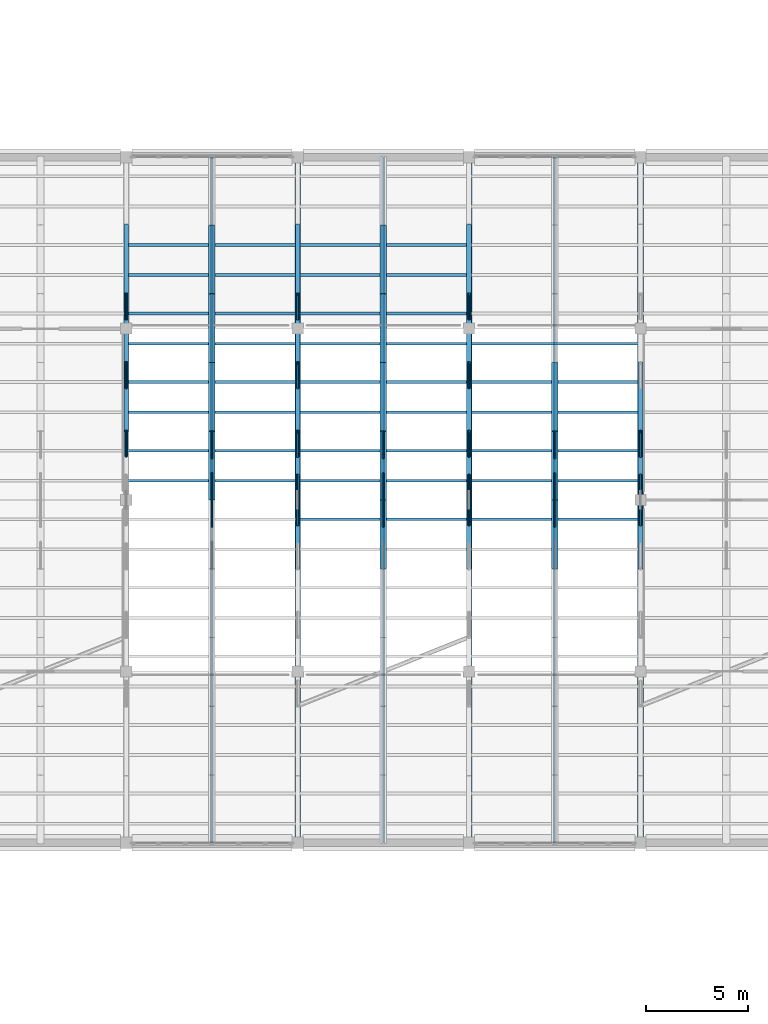
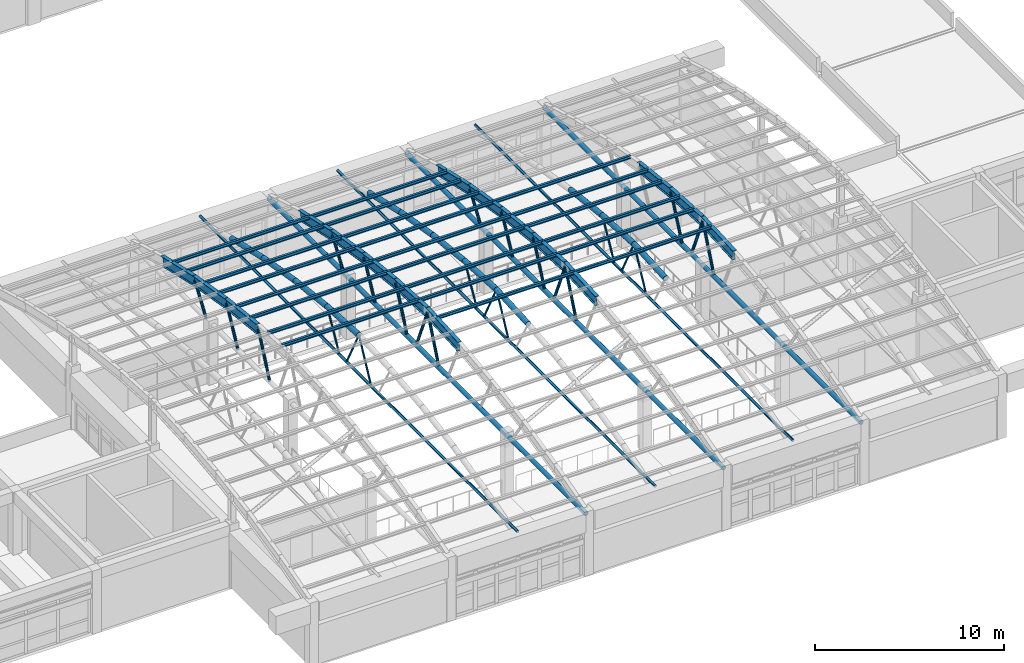
# One storey, part 19 of 74: 66 members, 16 beams.
"""IFC4 building model written with IfcOpenShell, lengths in metres."""

from ifc_helpers import new_model, si_unit, direction, frame, origin, origin_2d, place, context, subcontext, project, spatial, hollow_circle, i_section, extrude, material, material_profile, profile_set, type_object, element, save


model = new_model("IFC4")

# Units and contexts
model_context = context("Model", 3, precision=1e-05, world=origin(), true_north=direction((0.0, 1.0)))
body_context = subcontext(model_context, "Body", "Model", "MODEL_VIEW")
ifc_project = project(units=[si_unit("LENGTHUNIT", "METRE"), si_unit("AREAUNIT", "SQUARE_METRE"), si_unit("VOLUMEUNIT", "CUBIC_METRE"), si_unit("PLANEANGLEUNIT", "RADIAN"), si_unit("MASSUNIT", "GRAM", prefix="KILO")], contexts=[model_context])

# Site, building, storey
site_placement = place(None, origin())
site = spatial("IfcSite", under=ifc_project, at=site_placement, CompositionType="ELEMENT")
building_placement = place(site_placement, origin())
building = spatial("IfcBuilding", under=site, at=building_placement, Name="Porcellanite Civic Hall", CompositionType="ELEMENT")
storey_placement = place(building_placement, frame((0.0, 0.0, 14.760009765625)))
storey = spatial("IfcBuildingStorey", under=building, at=storey_placement, Name="L03", CompositionType="ELEMENT", Elevation=14.760009765625)

# Members
ifc_material_1 = material(Name="Steel C350L0", Category="steel")
ifc_material_profile_1 = material_profile(ifc_material_1, hollow_circle(Radius=0.161865234375, WallThickness=0.010009765625, at=origin_2d()), Name="323.9x10.0CHS")
ifc_profile_set_1 = profile_set([ifc_material_profile_1], Name="Steel C350L0")
member_type_1 = type_object("IfcMemberType", Name="ARCH-324CHS", PredefinedType="RAFTER", material=ifc_profile_set_1)
member_1_placement = place(storey_placement, frame((79.800048828125, 58.800048828125, 6.623779296875), z_axis=(0.0, 0.99844244283, -0.055791472063), x_axis=(-1.0, 0.0, 0.0)))
element("IfcMember", 1, at=member_1_placement, inside=storey, type_object=member_type_1, Name="Chamber secondary arch segment 9 6", PredefinedType="RAFTER", context=body_context, shape_type="SweptSolid", body=[
    extrude(hollow_circle(Radius=0.161865234375, WallThickness=0.010009765625, at=origin_2d()), origin(), (0.0, 0.0, 1.0), 3.364990234375),
])
member_2_placement = place(storey_placement, frame((79.800048828125, 62.159912109375, 6.431396484375), z_axis=(0.0, 0.993766061763, -0.111485490036), x_axis=(-1.0, 0.0, 0.0)))
element("IfcMember", 2, at=member_2_placement, inside=storey, type_object=member_type_1, Name="Chamber secondary arch segment 9 7", PredefinedType="RAFTER", context=body_context, shape_type="SweptSolid", body=[
    extrude(hollow_circle(Radius=0.161865234375, WallThickness=0.010009765625, at=origin_2d()), origin(), (0.0, 0.0, 1.0), 3.381103515625),
])
member_3_placement = place(storey_placement, frame((79.800048828125, 65.52001953125, 6.04931640625), z_axis=(0.0, 0.985992126332, -0.166791866742), x_axis=(-1.0, 0.0, 0.0)))
element("IfcMember", 3, at=member_3_placement, inside=storey, type_object=member_type_1, Name="Chamber secondary arch segment 9 8", PredefinedType="RAFTER", context=body_context, shape_type="SweptSolid", body=[
    extrude(hollow_circle(Radius=0.161865234375, WallThickness=0.010009765625, at=origin_2d()), origin(), (0.0, 0.0, 1.0), 3.40771484375),
])
member_4_placement = place(storey_placement, frame((79.800048828125, 68.8798828125, 5.47509765625), z_axis=(0.0, 0.975147469677, -0.221556792682), x_axis=(-1.0, 0.0, 0.0)))
element("IfcMember", 4, at=member_4_placement, inside=storey, type_object=member_type_1, Name="Chamber secondary arch segment 9 9", PredefinedType="RAFTER", context=body_context, shape_type="SweptSolid", body=[
    extrude(hollow_circle(Radius=0.161865234375, WallThickness=0.010009765625, at=origin_2d()), origin(), (0.0, 0.0, 1.0), 3.44580078125),
])
member_5_placement = place(storey_placement, frame((88.199951171875, 55.43994140625, 6.43603515625), z_axis=(0.0, 0.998442668633, 0.055787430951), x_axis=(-1.0, 0.0, 0.0)))
element("IfcMember", 5, at=member_5_placement, inside=storey, type_object=member_type_1, Name="Chamber secondary arch segment 10 5", PredefinedType="RAFTER", context=body_context, shape_type="SweptSolid", body=[
    extrude(hollow_circle(Radius=0.161865234375, WallThickness=0.010009765625, at=origin_2d()), origin(), (0.0, 0.0, 1.0), 3.365234375),
])
member_6_placement = place(storey_placement, frame((88.199951171875, 58.800048828125, 6.623779296875), z_axis=(0.0, 0.99844244283, -0.055791472063), x_axis=(-1.0, 0.0, 0.0)))
element("IfcMember", 6, at=member_6_placement, inside=storey, type_object=member_type_1, Name="Chamber secondary arch segment 10 6", PredefinedType="RAFTER", context=body_context, shape_type="SweptSolid", body=[
    extrude(hollow_circle(Radius=0.161865234375, WallThickness=0.010009765625, at=origin_2d()), origin(), (0.0, 0.0, 1.0), 3.364990234375),
])
member_7_placement = place(storey_placement, frame((88.199951171875, 62.159912109375, 6.431396484375), z_axis=(0.0, 0.993766061763, -0.111485490036), x_axis=(-1.0, 0.0, 0.0)))
element("IfcMember", 7, at=member_7_placement, inside=storey, type_object=member_type_1, Name="Chamber secondary arch segment 10 7", PredefinedType="RAFTER", context=body_context, shape_type="SweptSolid", body=[
    extrude(hollow_circle(Radius=0.161865234375, WallThickness=0.010009765625, at=origin_2d()), origin(), (0.0, 0.0, 1.0), 3.381103515625),
])
member_8_placement = place(storey_placement, frame((88.199951171875, 65.52001953125, 6.04931640625), z_axis=(0.0, 0.985992126332, -0.166791866742), x_axis=(-1.0, 0.0, 0.0)))
element("IfcMember", 8, at=member_8_placement, inside=storey, type_object=member_type_1, Name="Chamber secondary arch segment 10 8", PredefinedType="RAFTER", context=body_context, shape_type="SweptSolid", body=[
    extrude(hollow_circle(Radius=0.161865234375, WallThickness=0.010009765625, at=origin_2d()), origin(), (0.0, 0.0, 1.0), 3.40771484375),
])
member_9_placement = place(storey_placement, frame((88.199951171875, 68.8798828125, 5.47509765625), z_axis=(0.0, 0.975147469677, -0.221556792682), x_axis=(-1.0, 0.0, 0.0)))
element("IfcMember", 9, at=member_9_placement, inside=storey, type_object=member_type_1, Name="Chamber secondary arch segment 10 9", PredefinedType="RAFTER", context=body_context, shape_type="SweptSolid", body=[
    extrude(hollow_circle(Radius=0.161865234375, WallThickness=0.010009765625, at=origin_2d()), origin(), (0.0, 0.0, 1.0), 3.44580078125),
])
member_10_placement = place(storey_placement, frame((96.60009765625, 55.43994140625, 6.43603515625), z_axis=(0.0, 0.998442668633, 0.055787430951), x_axis=(-1.0, 0.0, 0.0)))
element("IfcMember", 10, at=member_10_placement, inside=storey, type_object=member_type_1, Name="Chamber secondary arch segment 11 5", PredefinedType="RAFTER", context=body_context, shape_type="SweptSolid", body=[
    extrude(hollow_circle(Radius=0.161865234375, WallThickness=0.010009765625, at=origin_2d()), origin(), (0.0, 0.0, 1.0), 3.365234375),
])
member_11_placement = place(storey_placement, frame((96.60009765625, 58.800048828125, 6.623779296875), z_axis=(0.0, 0.99844244283, -0.055791472063), x_axis=(-1.0, 0.0, 0.0)))
element("IfcMember", 11, at=member_11_placement, inside=storey, type_object=member_type_1, Name="Chamber secondary arch segment 11 6", PredefinedType="RAFTER", context=body_context, shape_type="SweptSolid", body=[
    extrude(hollow_circle(Radius=0.161865234375, WallThickness=0.010009765625, at=origin_2d()), origin(), (0.0, 0.0, 1.0), 3.364990234375),
])
member_12_placement = place(storey_placement, frame((96.60009765625, 62.159912109375, 6.431396484375), z_axis=(0.0, 0.993766061763, -0.111485490036), x_axis=(-1.0, 0.0, 0.0)))
element("IfcMember", 12, at=member_12_placement, inside=storey, type_object=member_type_1, Name="Chamber secondary arch segment 11 7", PredefinedType="RAFTER", context=body_context, shape_type="SweptSolid", body=[
    extrude(hollow_circle(Radius=0.161865234375, WallThickness=0.010009765625, at=origin_2d()), origin(), (0.0, 0.0, 1.0), 3.381103515625),
])
ifc_material_2 = material(Name="Steel C350L0", Category="steel")
ifc_material_profile_2 = material_profile(ifc_material_2, hollow_circle(Radius=0.05712890625, WallThickness=0.006103515625, at=origin_2d()), Name="114.3x6.0CHS")
ifc_profile_set_2 = profile_set([ifc_material_profile_2], Name="Steel C350L0")
member_type_2 = type_object("IfcMemberType", Name="BRC-114CHS", PredefinedType="BRACE", material=ifc_profile_set_2)
for number, where, z_axis, x_axis, name in (
    (13, (79.800048828125, 57.5, 4.11474609375), (0.0, 0.459599010726, 0.888126539036), (-1.0, 0.0, 0.0), "Chamber secondary arch web 9-2"),
    (14, (79.800048828125, 60.10009765625, 4.11474609375), (0.0, -0.459599010726, 0.888126539036), (1.0, 0.0, 0.0), "Chamber secondary arch web 9-3"),
):
    element("IfcMember", number, at=place(storey_placement, frame(where, z_axis=z_axis, x_axis=x_axis)), inside=storey, type_object=member_type_2, Name=name, PredefinedType="BRACE", context=body_context, shape_type="SweptSolid", body=[
        extrude(hollow_circle(Radius=0.05712890625, WallThickness=0.006103515625, at=origin_2d()), origin(), (0.0, 0.0, 1.0), 2.82861328125),
    ])
member_13_placement = place(storey_placement, frame((79.800048828125, 60.860107421875, 4.11474609375), z_axis=(0.0, 0.488100782404, 0.872787274321), x_axis=(-1.0, 0.0, 0.0)))
element("IfcMember", 15, at=member_13_placement, inside=storey, type_object=member_type_2, Name="Chamber secondary arch web 9-4", PredefinedType="BRACE", context=body_context, shape_type="SweptSolid", body=[
    extrude(hollow_circle(Radius=0.05712890625, WallThickness=0.006103515625, at=origin_2d()), origin(), (0.0, 0.0, 1.0), 2.6630859375),
])
for number, where, z_axis, x_axis, name in (
    (16, (88.199951171875, 57.5, 4.11474609375), (0.0, 0.459599010726, 0.888126539036), (-1.0, 0.0, 0.0), "Chamber secondary arch web 10-2"),
    (17, (88.199951171875, 60.10009765625, 4.11474609375), (0.0, -0.459599010726, 0.888126539036), (1.0, 0.0, 0.0), "Chamber secondary arch web 10-3"),
):
    element("IfcMember", number, at=place(storey_placement, frame(where, z_axis=z_axis, x_axis=x_axis)), inside=storey, type_object=member_type_2, Name=name, PredefinedType="BRACE", context=body_context, shape_type="SweptSolid", body=[
        extrude(hollow_circle(Radius=0.05712890625, WallThickness=0.006103515625, at=origin_2d()), origin(), (0.0, 0.0, 1.0), 2.82861328125),
    ])
member_14_placement = place(storey_placement, frame((88.199951171875, 60.860107421875, 4.11474609375), z_axis=(0.0, 0.488100782404, 0.872787274321), x_axis=(-1.0, 0.0, 0.0)))
element("IfcMember", 18, at=member_14_placement, inside=storey, type_object=member_type_2, Name="Chamber secondary arch web 10-4", PredefinedType="BRACE", context=body_context, shape_type="SweptSolid", body=[
    extrude(hollow_circle(Radius=0.05712890625, WallThickness=0.006103515625, at=origin_2d()), origin(), (0.0, 0.0, 1.0), 2.6630859375),
])
for number, where, z_axis, x_axis, name in (
    (19, (96.60009765625, 57.5, 4.11474609375), (0.0, 0.459599010726, 0.888126539036), (-1.0, 0.0, 0.0), "Chamber secondary arch web 11-2"),
    (20, (96.60009765625, 60.10009765625, 4.11474609375), (0.0, -0.459599010726, 0.888126539036), (1.0, 0.0, 0.0), "Chamber secondary arch web 11-3"),
):
    element("IfcMember", number, at=place(storey_placement, frame(where, z_axis=z_axis, x_axis=x_axis)), inside=storey, type_object=member_type_2, Name=name, PredefinedType="BRACE", context=body_context, shape_type="SweptSolid", body=[
        extrude(hollow_circle(Radius=0.05712890625, WallThickness=0.006103515625, at=origin_2d()), origin(), (0.0, 0.0, 1.0), 2.82861328125),
    ])
member_15_placement = place(storey_placement, frame((96.60009765625, 60.860107421875, 4.11474609375), z_axis=(0.0, 0.488100782404, 0.872787274321), x_axis=(-1.0, 0.0, 0.0)))
element("IfcMember", 21, at=member_15_placement, inside=storey, type_object=member_type_2, Name="Chamber secondary arch web 11-4", PredefinedType="BRACE", context=body_context, shape_type="SweptSolid", body=[
    extrude(hollow_circle(Radius=0.05712890625, WallThickness=0.006103515625, at=origin_2d()), origin(), (0.0, 0.0, 1.0), 2.6630859375),
])
ifc_material_3 = material(Name="Steel C350L0", Category="steel")
ifc_material_profile_3 = material_profile(ifc_material_3, hollow_circle(Radius=0.084228515625, WallThickness=0.007080078125, at=origin_2d()), Name="168.3x7.1CHS")
ifc_profile_set_3 = profile_set([ifc_material_profile_3], Name="Steel C350L0")
member_type_3 = type_object("IfcMemberType", Name="BRC-168CHS", PredefinedType="BRACE", material=ifc_profile_set_3)
member_16_placement = place(storey_placement, frame((75.60009765625, 60.9599609375, 3.787841796875), z_axis=(0.0, 0.409654104348, 0.912240930232), x_axis=(-1.0, 0.0, 0.0)))
element("IfcMember", 22, at=member_16_placement, inside=storey, type_object=member_type_3, Name="Chamber arch web 9-6", PredefinedType="BRACE", context=body_context, shape_type="SweptSolid", body=[
    extrude(hollow_circle(Radius=0.084228515625, WallThickness=0.007080078125, at=origin_2d()), origin(), (0.0, 0.0, 1.0), 2.92919921875),
])
member_17_placement = place(storey_placement, frame((75.60009765625, 64.320068359375, 3.787841796875), z_axis=(0.0, 0.463316465702, 0.886192898081), x_axis=(-1.0, 0.0, 0.0)))
element("IfcMember", 23, at=member_17_placement, inside=storey, type_object=member_type_3, Name="Chamber arch web 9-7", PredefinedType="BRACE", context=body_context, shape_type="SweptSolid", body=[
    extrude(hollow_circle(Radius=0.084228515625, WallThickness=0.007080078125, at=origin_2d()), origin(), (0.0, 0.0, 1.0), 2.58984375),
])
member_18_placement = place(storey_placement, frame((75.60009765625, 67.679931640625, 3.787841796875), z_axis=(0.0, 0.570645999694, 0.821196165988), x_axis=(-1.0, 0.0, 0.0)))
element("IfcMember", 24, at=member_18_placement, inside=storey, type_object=member_type_3, Name="Chamber arch web 9-8", PredefinedType="BRACE", context=body_context, shape_type="SweptSolid", body=[
    extrude(hollow_circle(Radius=0.084228515625, WallThickness=0.007080078125, at=origin_2d()), origin(), (0.0, 0.0, 1.0), 2.102783203125),
])
for number, where, z_axis, x_axis, name in (
    (25, (84.0, 57.60009765625, 3.787841796875), (0.0, 0.386905912351, 0.92211919782), (-1.0, 0.0, 0.0), "Chamber arch web 10-4"),
    (26, (84.0, 60.0, 3.787841796875), (0.0, -0.386905912351, 0.92211919782), (1.0, 0.0, 0.0), "Chamber arch web 10-5"),
):
    element("IfcMember", number, at=place(storey_placement, frame(where, z_axis=z_axis, x_axis=x_axis)), inside=storey, type_object=member_type_3, Name=name, PredefinedType="BRACE", context=body_context, shape_type="SweptSolid", body=[
        extrude(hollow_circle(Radius=0.084228515625, WallThickness=0.007080078125, at=origin_2d()), origin(), (0.0, 0.0, 1.0), 3.101318359375),
    ])
member_19_placement = place(storey_placement, frame((84.0, 60.9599609375, 3.787841796875), z_axis=(0.0, 0.409654104348, 0.912240930232), x_axis=(-1.0, 0.0, 0.0)))
element("IfcMember", 27, at=member_19_placement, inside=storey, type_object=member_type_3, Name="Chamber arch web 10-6", PredefinedType="BRACE", context=body_context, shape_type="SweptSolid", body=[
    extrude(hollow_circle(Radius=0.084228515625, WallThickness=0.007080078125, at=origin_2d()), origin(), (0.0, 0.0, 1.0), 2.92919921875),
])
member_20_placement = place(storey_placement, frame((84.0, 64.320068359375, 3.787841796875), z_axis=(0.0, 0.463316465702, 0.886192898081), x_axis=(-1.0, 0.0, 0.0)))
element("IfcMember", 28, at=member_20_placement, inside=storey, type_object=member_type_3, Name="Chamber arch web 10-7", PredefinedType="BRACE", context=body_context, shape_type="SweptSolid", body=[
    extrude(hollow_circle(Radius=0.084228515625, WallThickness=0.007080078125, at=origin_2d()), origin(), (0.0, 0.0, 1.0), 2.58984375),
])
member_21_placement = place(storey_placement, frame((84.0, 67.679931640625, 3.787841796875), z_axis=(0.0, 0.570645999694, 0.821196165988), x_axis=(-1.0, 0.0, 0.0)))
element("IfcMember", 29, at=member_21_placement, inside=storey, type_object=member_type_3, Name="Chamber arch web 10-8", PredefinedType="BRACE", context=body_context, shape_type="SweptSolid", body=[
    extrude(hollow_circle(Radius=0.084228515625, WallThickness=0.007080078125, at=origin_2d()), origin(), (0.0, 0.0, 1.0), 2.102783203125),
])
for number, where, z_axis, x_axis, name in (
    (30, (92.39990234375, 57.60009765625, 3.787841796875), (0.0, 0.386905912351, 0.92211919782), (-1.0, 0.0, 0.0), "Chamber arch web 11-4"),
    (31, (92.39990234375, 60.0, 3.787841796875), (0.0, -0.386905912351, 0.92211919782), (1.0, 0.0, 0.0), "Chamber arch web 11-5"),
):
    element("IfcMember", number, at=place(storey_placement, frame(where, z_axis=z_axis, x_axis=x_axis)), inside=storey, type_object=member_type_3, Name=name, PredefinedType="BRACE", context=body_context, shape_type="SweptSolid", body=[
        extrude(hollow_circle(Radius=0.084228515625, WallThickness=0.007080078125, at=origin_2d()), origin(), (0.0, 0.0, 1.0), 3.101318359375),
    ])
member_22_placement = place(storey_placement, frame((92.39990234375, 60.9599609375, 3.787841796875), z_axis=(0.0, 0.409654104348, 0.912240930232), x_axis=(-1.0, 0.0, 0.0)))
element("IfcMember", 32, at=member_22_placement, inside=storey, type_object=member_type_3, Name="Chamber arch web 11-6", PredefinedType="BRACE", context=body_context, shape_type="SweptSolid", body=[
    extrude(hollow_circle(Radius=0.084228515625, WallThickness=0.007080078125, at=origin_2d()), origin(), (0.0, 0.0, 1.0), 2.92919921875),
])
member_23_placement = place(storey_placement, frame((92.39990234375, 64.320068359375, 3.787841796875), z_axis=(0.0, 0.463316465702, 0.886192898081), x_axis=(-1.0, 0.0, 0.0)))
element("IfcMember", 33, at=member_23_placement, inside=storey, type_object=member_type_3, Name="Chamber arch web 11-7", PredefinedType="BRACE", context=body_context, shape_type="SweptSolid", body=[
    extrude(hollow_circle(Radius=0.084228515625, WallThickness=0.007080078125, at=origin_2d()), origin(), (0.0, 0.0, 1.0), 2.58984375),
])
member_24_placement = place(storey_placement, frame((92.39990234375, 67.679931640625, 3.787841796875), z_axis=(0.0, 0.570645999694, 0.821196165988), x_axis=(-1.0, 0.0, 0.0)))
element("IfcMember", 34, at=member_24_placement, inside=storey, type_object=member_type_3, Name="Chamber arch web 11-8", PredefinedType="BRACE", context=body_context, shape_type="SweptSolid", body=[
    extrude(hollow_circle(Radius=0.084228515625, WallThickness=0.007080078125, at=origin_2d()), origin(), (0.0, 0.0, 1.0), 2.102783203125),
])
for number, where, z_axis, x_axis, name in (
    (35, (100.800048828125, 57.60009765625, 3.787841796875), (0.0, 0.386905912351, 0.92211919782), (-1.0, 0.0, 0.0), "Chamber arch web 12-4"),
    (36, (100.800048828125, 60.0, 3.787841796875), (0.0, -0.386905912351, 0.92211919782), (1.0, 0.0, 0.0), "Chamber arch web 12-5"),
):
    element("IfcMember", number, at=place(storey_placement, frame(where, z_axis=z_axis, x_axis=x_axis)), inside=storey, type_object=member_type_3, Name=name, PredefinedType="BRACE", context=body_context, shape_type="SweptSolid", body=[
        extrude(hollow_circle(Radius=0.084228515625, WallThickness=0.007080078125, at=origin_2d()), origin(), (0.0, 0.0, 1.0), 3.101318359375),
    ])
member_25_placement = place(storey_placement, frame((100.800048828125, 60.9599609375, 3.787841796875), z_axis=(0.0, 0.409654104348, 0.912240930232), x_axis=(-1.0, 0.0, 0.0)))
element("IfcMember", 37, at=member_25_placement, inside=storey, type_object=member_type_3, Name="Chamber arch web 12-6", PredefinedType="BRACE", context=body_context, shape_type="SweptSolid", body=[
    extrude(hollow_circle(Radius=0.084228515625, WallThickness=0.007080078125, at=origin_2d()), origin(), (0.0, 0.0, 1.0), 2.92919921875),
])
for number, where, z_axis, x_axis, name in (
    (38, (79.800048828125, 42.0, 4.11474609375), (0.0, 1.0, 0.0), (-1.0, 0.0, 0.0), "Chamber secondary arch tie 9"),
    (39, (88.199951171875, 42.0, 4.11474609375), (0.0, 1.0, 0.0), (-1.0, 0.0, 0.0), "Chamber secondary arch tie 10"),
    (40, (96.60009765625, 42.0, 4.11474609375), (0.0, 1.0, 0.0), (-1.0, 0.0, 0.0), "Chamber secondary arch tie 11"),
):
    element("IfcMember", number, at=place(storey_placement, frame(where, z_axis=z_axis, x_axis=x_axis)), inside=storey, type_object=member_type_3, Name=name, PredefinedType="BRACE", context=body_context, shape_type="SweptSolid", body=[
        extrude(hollow_circle(Radius=0.084228515625, WallThickness=0.007080078125, at=origin_2d()), origin(), (0.0, 0.0, 1.0), 33.60009765625),
    ])
ifc_material_4 = material(Name="Steel Grade 350", Category="steel")
ifc_material_profile_4 = material_profile(ifc_material_4, i_section(OverallWidth=0.133056640625, OverallDepth=0.202880859375, WebThickness=0.005859375, FlangeThickness=0.0078125, FilletRadius=0.0087890625, at=origin_2d()), Name="200UB25.4")
ifc_profile_set_4 = profile_set([ifc_material_profile_4], Name="Steel Grade 350")
member_type_4 = type_object("IfcMemberType", Name="PUR-200UB25", PredefinedType="PURLIN", material=ifc_profile_set_4)
for number, where, z_axis, x_axis, name in (
    (41, (75.6064453125, 59.74072265625, 6.833740234375), (1.0, 0.0, 0.0), (0.0, 1.0, 0.0), "Chamber shell purlin 9 6A"),
    (42, (75.6064453125, 61.21923828125, 6.7509765625), (1.0, 0.0, 0.0), (0.0, 1.0, 0.0), "Chamber shell purlin 9 6B"),
    (43, (75.6064453125, 63.100830078125, 6.58837890625), (1.0, 0.0, 0.0), (0.0, 1.0, 0.0), "Chamber shell purlin 9 7A"),
    (44, (75.6064453125, 64.5791015625, 6.422607421875), (1.0, 0.0, 0.0), (0.0, 1.0, 0.0), "Chamber shell purlin 9 7B"),
    (45, (75.6064453125, 66.460693359375, 6.152587890625), (1.0, 0.0, 0.0), (0.0, 1.0, 0.0), "Chamber shell purlin 9 8A"),
    (46, (75.6064453125, 67.939208984375, 5.902587890625), (1.0, 0.0, 0.0), (0.0, 1.0, 0.0), "Chamber shell purlin 9 8B"),
    (47, (75.6064453125, 69.82080078125, 5.523681640625), (1.0, 0.0, 0.0), (0.0, 1.0, 0.0), "Chamber shell purlin 9 9A"),
    (48, (75.6064453125, 71.29931640625, 5.18798828125), (1.0, 0.0, 0.0), (0.0, 1.0, 0.0), "Chamber shell purlin 9 9B"),
    (49, (84.006591796875, 57.859130859375, 6.833740234375), (1.0, 0.0, 0.0), (0.0, 1.0, 0.0), "Chamber shell purlin 10 5B"),
    (50, (84.006591796875, 59.74072265625, 6.833740234375), (1.0, 0.0, 0.0), (0.0, 1.0, 0.0), "Chamber shell purlin 10 6A"),
    (51, (84.006591796875, 61.21923828125, 6.7509765625), (1.0, 0.0, 0.0), (0.0, 1.0, 0.0), "Chamber shell purlin 10 6B"),
    (52, (84.006591796875, 63.100830078125, 6.58837890625), (1.0, 0.0, 0.0), (0.0, 1.0, 0.0), "Chamber shell purlin 10 7A"),
    (53, (84.006591796875, 64.5791015625, 6.422607421875), (1.0, 0.0, 0.0), (0.0, 1.0, 0.0), "Chamber shell purlin 10 7B"),
    (54, (84.006591796875, 66.460693359375, 6.152587890625), (1.0, 0.0, 0.0), (0.0, 1.0, 0.0), "Chamber shell purlin 10 8A"),
    (55, (84.006591796875, 67.939208984375, 5.902587890625), (1.0, 0.0, 0.0), (0.0, 1.0, 0.0), "Chamber shell purlin 10 8B"),
    (56, (84.006591796875, 69.82080078125, 5.523681640625), (1.0, 0.0, 0.0), (0.0, 1.0, 0.0), "Chamber shell purlin 10 9A"),
    (57, (84.006591796875, 71.29931640625, 5.18798828125), (1.0, 0.0, 0.0), (0.0, 1.0, 0.0), "Chamber shell purlin 10 9B"),
    (58, (92.406494140625, 57.859130859375, 6.833740234375), (1.0, 0.0, 0.0), (0.0, 1.0, 0.0), "Chamber shell purlin 11 5B"),
    (59, (92.406494140625, 59.74072265625, 6.833740234375), (1.0, 0.0, 0.0), (0.0, 1.0, 0.0), "Chamber shell purlin 11 6A"),
    (60, (92.406494140625, 61.21923828125, 6.7509765625), (1.0, 0.0, 0.0), (0.0, 1.0, 0.0), "Chamber shell purlin 11 6B"),
    (61, (92.406494140625, 63.100830078125, 6.58837890625), (1.0, 0.0, 0.0), (0.0, 1.0, 0.0), "Chamber shell purlin 11 7A"),
    (62, (92.406494140625, 64.5791015625, 6.422607421875), (1.0, 0.0, 0.0), (0.0, 1.0, 0.0), "Chamber shell purlin 11 7B"),
    (63, (92.406494140625, 66.460693359375, 6.152587890625), (1.0, 0.0, 0.0), (0.0, 1.0, 0.0), "Chamber shell purlin 11 8A"),
):
    element("IfcMember", number, at=place(storey_placement, frame(where, z_axis=z_axis, x_axis=x_axis)), inside=storey, type_object=member_type_4, Name=name, PredefinedType="PURLIN", context=body_context, shape_type="SweptSolid", body=[
        extrude(i_section(OverallWidth=0.133056640625, OverallDepth=0.202880859375, WebThickness=0.005859375, FlangeThickness=0.0078125, FilletRadius=0.0087890625, at=origin_2d()), origin(), (0.0, 0.0, 1.0), 8.386962890625),
    ])

# Beams
ifc_material_5 = material(Name="Steel Grade 350", Category="steel")
ifc_material_profile_5 = material_profile(ifc_material_5, i_section(OverallWidth=0.22900390625, OverallDepth=0.612060546875, WebThickness=0.011962890625, FlangeThickness=0.01953125, FilletRadius=0.013916015625, at=origin_2d()), Name="610UB125")
ifc_profile_set_5 = profile_set([ifc_material_profile_5], Name="Steel Grade 350")
beam_type = type_object("IfcBeamType", Name="RIB-610UB125", PredefinedType="BEAM", material=ifc_profile_set_5)
beam_1_placement = place(storey_placement, frame((75.60009765625, 62.159912109375, 6.4599609375), z_axis=(0.0, 0.993766061763, -0.111485490036), x_axis=(-1.0, 0.0, 0.0)))
element("IfcBeam", 64, at=beam_1_placement, inside=storey, type_object=beam_type, Name="Chamber steel arch rib 9 seg 7", PredefinedType="BEAM", context=body_context, shape_type="SweptSolid", body=[
    extrude(i_section(OverallWidth=0.22900390625, OverallDepth=0.612060546875, WebThickness=0.011962890625, FlangeThickness=0.01953125, FilletRadius=0.013916015625, at=origin_2d()), origin(), (0.0, 0.0, 1.0), 3.381103515625),
])
beam_2_placement = place(storey_placement, frame((75.60009765625, 65.52001953125, 6.0830078125), z_axis=(0.0, 0.985992126332, -0.166791866742), x_axis=(-1.0, 0.0, 0.0)))
element("IfcBeam", 65, at=beam_2_placement, inside=storey, type_object=beam_type, Name="Chamber steel arch rib 9 seg 8", PredefinedType="BEAM", context=body_context, shape_type="SweptSolid", body=[
    extrude(i_section(OverallWidth=0.22900390625, OverallDepth=0.612060546875, WebThickness=0.011962890625, FlangeThickness=0.01953125, FilletRadius=0.013916015625, at=origin_2d()), origin(), (0.0, 0.0, 1.0), 3.40771484375),
])
beam_3_placement = place(storey_placement, frame((75.60009765625, 68.8798828125, 5.5146484375), z_axis=(0.0, 0.975162775381, -0.22148941625), x_axis=(-1.0, 0.0, 0.0)))
element("IfcBeam", 66, at=beam_3_placement, inside=storey, type_object=beam_type, Name="Chamber steel arch rib 9 seg 9", PredefinedType="BEAM", context=body_context, shape_type="SweptSolid", body=[
    extrude(i_section(OverallWidth=0.22900390625, OverallDepth=0.612060546875, WebThickness=0.011962890625, FlangeThickness=0.01953125, FilletRadius=0.013916015625, at=origin_2d()), origin(), (0.0, 0.0, 1.0), 3.44580078125),
])
beam_4_placement = place(storey_placement, frame((84.0, 55.43994140625, 6.4599609375), z_axis=(0.0, 0.998442668633, 0.055787430951), x_axis=(-1.0, 0.0, 0.0)))
element("IfcBeam", 67, at=beam_4_placement, inside=storey, type_object=beam_type, Name="Chamber steel arch rib 10 seg 5", PredefinedType="BEAM", context=body_context, shape_type="SweptSolid", body=[
    extrude(i_section(OverallWidth=0.22900390625, OverallDepth=0.612060546875, WebThickness=0.011962890625, FlangeThickness=0.01953125, FilletRadius=0.013916015625, at=origin_2d()), origin(), (0.0, 0.0, 1.0), 3.365234375),
])
beam_5_placement = place(storey_placement, frame((84.0, 58.800048828125, 6.647705078125), z_axis=(0.0, 0.99844244283, -0.055791472063), x_axis=(-1.0, 0.0, 0.0)))
element("IfcBeam", 68, at=beam_5_placement, inside=storey, type_object=beam_type, Name="Chamber steel arch rib 10 seg 6", PredefinedType="BEAM", context=body_context, shape_type="SweptSolid", body=[
    extrude(i_section(OverallWidth=0.22900390625, OverallDepth=0.612060546875, WebThickness=0.011962890625, FlangeThickness=0.01953125, FilletRadius=0.013916015625, at=origin_2d()), origin(), (0.0, 0.0, 1.0), 3.364990234375),
])
beam_6_placement = place(storey_placement, frame((84.0, 62.159912109375, 6.4599609375), z_axis=(0.0, 0.993766061763, -0.111485490036), x_axis=(-1.0, 0.0, 0.0)))
element("IfcBeam", 69, at=beam_6_placement, inside=storey, type_object=beam_type, Name="Chamber steel arch rib 10 seg 7", PredefinedType="BEAM", context=body_context, shape_type="SweptSolid", body=[
    extrude(i_section(OverallWidth=0.22900390625, OverallDepth=0.612060546875, WebThickness=0.011962890625, FlangeThickness=0.01953125, FilletRadius=0.013916015625, at=origin_2d()), origin(), (0.0, 0.0, 1.0), 3.381103515625),
])
beam_7_placement = place(storey_placement, frame((84.0, 65.52001953125, 6.0830078125), z_axis=(0.0, 0.985992126332, -0.166791866742), x_axis=(-1.0, 0.0, 0.0)))
element("IfcBeam", 70, at=beam_7_placement, inside=storey, type_object=beam_type, Name="Chamber steel arch rib 10 seg 8", PredefinedType="BEAM", context=body_context, shape_type="SweptSolid", body=[
    extrude(i_section(OverallWidth=0.22900390625, OverallDepth=0.612060546875, WebThickness=0.011962890625, FlangeThickness=0.01953125, FilletRadius=0.013916015625, at=origin_2d()), origin(), (0.0, 0.0, 1.0), 3.40771484375),
])
beam_8_placement = place(storey_placement, frame((84.0, 68.8798828125, 5.5146484375), z_axis=(0.0, 0.975162775381, -0.22148941625), x_axis=(-1.0, 0.0, 0.0)))
element("IfcBeam", 71, at=beam_8_placement, inside=storey, type_object=beam_type, Name="Chamber steel arch rib 10 seg 9", PredefinedType="BEAM", context=body_context, shape_type="SweptSolid", body=[
    extrude(i_section(OverallWidth=0.22900390625, OverallDepth=0.612060546875, WebThickness=0.011962890625, FlangeThickness=0.01953125, FilletRadius=0.013916015625, at=origin_2d()), origin(), (0.0, 0.0, 1.0), 3.44580078125),
])
beam_9_placement = place(storey_placement, frame((92.39990234375, 55.43994140625, 6.4599609375), z_axis=(0.0, 0.998442668633, 0.055787430951), x_axis=(-1.0, 0.0, 0.0)))
element("IfcBeam", 72, at=beam_9_placement, inside=storey, type_object=beam_type, Name="Chamber steel arch rib 11 seg 5", PredefinedType="BEAM", context=body_context, shape_type="SweptSolid", body=[
    extrude(i_section(OverallWidth=0.22900390625, OverallDepth=0.612060546875, WebThickness=0.011962890625, FlangeThickness=0.01953125, FilletRadius=0.013916015625, at=origin_2d()), origin(), (0.0, 0.0, 1.0), 3.365234375),
])
beam_10_placement = place(storey_placement, frame((92.39990234375, 58.800048828125, 6.647705078125), z_axis=(0.0, 0.99844244283, -0.055791472063), x_axis=(-1.0, 0.0, 0.0)))
element("IfcBeam", 73, at=beam_10_placement, inside=storey, type_object=beam_type, Name="Chamber steel arch rib 11 seg 6", PredefinedType="BEAM", context=body_context, shape_type="SweptSolid", body=[
    extrude(i_section(OverallWidth=0.22900390625, OverallDepth=0.612060546875, WebThickness=0.011962890625, FlangeThickness=0.01953125, FilletRadius=0.013916015625, at=origin_2d()), origin(), (0.0, 0.0, 1.0), 3.364990234375),
])
beam_11_placement = place(storey_placement, frame((92.39990234375, 62.159912109375, 6.4599609375), z_axis=(0.0, 0.993766061763, -0.111485490036), x_axis=(-1.0, 0.0, 0.0)))
element("IfcBeam", 74, at=beam_11_placement, inside=storey, type_object=beam_type, Name="Chamber steel arch rib 11 seg 7", PredefinedType="BEAM", context=body_context, shape_type="SweptSolid", body=[
    extrude(i_section(OverallWidth=0.22900390625, OverallDepth=0.612060546875, WebThickness=0.011962890625, FlangeThickness=0.01953125, FilletRadius=0.013916015625, at=origin_2d()), origin(), (0.0, 0.0, 1.0), 3.381103515625),
])
beam_12_placement = place(storey_placement, frame((92.39990234375, 65.52001953125, 6.0830078125), z_axis=(0.0, 0.985992126332, -0.166791866742), x_axis=(-1.0, 0.0, 0.0)))
element("IfcBeam", 75, at=beam_12_placement, inside=storey, type_object=beam_type, Name="Chamber steel arch rib 11 seg 8", PredefinedType="BEAM", context=body_context, shape_type="SweptSolid", body=[
    extrude(i_section(OverallWidth=0.22900390625, OverallDepth=0.612060546875, WebThickness=0.011962890625, FlangeThickness=0.01953125, FilletRadius=0.013916015625, at=origin_2d()), origin(), (0.0, 0.0, 1.0), 3.40771484375),
])
beam_13_placement = place(storey_placement, frame((92.39990234375, 68.8798828125, 5.5146484375), z_axis=(0.0, 0.975162775381, -0.22148941625), x_axis=(-1.0, 0.0, 0.0)))
element("IfcBeam", 76, at=beam_13_placement, inside=storey, type_object=beam_type, Name="Chamber steel arch rib 11 seg 9", PredefinedType="BEAM", context=body_context, shape_type="SweptSolid", body=[
    extrude(i_section(OverallWidth=0.22900390625, OverallDepth=0.612060546875, WebThickness=0.011962890625, FlangeThickness=0.01953125, FilletRadius=0.013916015625, at=origin_2d()), origin(), (0.0, 0.0, 1.0), 3.44580078125),
])
beam_14_placement = place(storey_placement, frame((100.800048828125, 55.43994140625, 6.4599609375), z_axis=(0.0, 0.998442668633, 0.055787430951), x_axis=(-1.0, 0.0, 0.0)))
element("IfcBeam", 77, at=beam_14_placement, inside=storey, type_object=beam_type, Name="Chamber steel arch rib 12 seg 5", PredefinedType="BEAM", context=body_context, shape_type="SweptSolid", body=[
    extrude(i_section(OverallWidth=0.22900390625, OverallDepth=0.612060546875, WebThickness=0.011962890625, FlangeThickness=0.01953125, FilletRadius=0.013916015625, at=origin_2d()), origin(), (0.0, 0.0, 1.0), 3.365234375),
])
beam_15_placement = place(storey_placement, frame((100.800048828125, 58.800048828125, 6.647705078125), z_axis=(0.0, 0.99844244283, -0.055791472063), x_axis=(-1.0, 0.0, 0.0)))
element("IfcBeam", 78, at=beam_15_placement, inside=storey, type_object=beam_type, Name="Chamber steel arch rib 12 seg 6", PredefinedType="BEAM", context=body_context, shape_type="SweptSolid", body=[
    extrude(i_section(OverallWidth=0.22900390625, OverallDepth=0.612060546875, WebThickness=0.011962890625, FlangeThickness=0.01953125, FilletRadius=0.013916015625, at=origin_2d()), origin(), (0.0, 0.0, 1.0), 3.364990234375),
])
beam_16_placement = place(storey_placement, frame((100.800048828125, 62.159912109375, 6.4599609375), z_axis=(0.0, 0.993766061763, -0.111485490036), x_axis=(-1.0, 0.0, 0.0)))
element("IfcBeam", 79, at=beam_16_placement, inside=storey, type_object=beam_type, Name="Chamber steel arch rib 12 seg 7", PredefinedType="BEAM", context=body_context, shape_type="SweptSolid", body=[
    extrude(i_section(OverallWidth=0.22900390625, OverallDepth=0.612060546875, WebThickness=0.011962890625, FlangeThickness=0.01953125, FilletRadius=0.013916015625, at=origin_2d()), origin(), (0.0, 0.0, 1.0), 3.381103515625),
])

# Members
ifc_material_6 = material(Name="Steel C350L0", Category="steel")
ifc_material_profile_6 = material_profile(ifc_material_6, hollow_circle(Radius=0.136474609375, WallThickness=0.00927734375, at=origin_2d()), Name="273.1x9.3CHS")
ifc_profile_set_6 = profile_set([ifc_material_profile_6], Name="Steel C350L0")
member_type_5 = type_object("IfcMemberType", Name="TIE-273CHS", PredefinedType="CHORD", material=ifc_profile_set_6)
for number, where, z_axis, x_axis, name in (
    (80, (84.0, 42.050048828125, 3.787841796875), (0.0, 1.0, 0.0), (-1.0, 0.0, 0.0), "Chamber arch tie chord 10"),
    (81, (92.39990234375, 42.050048828125, 3.787841796875), (0.0, 1.0, 0.0), (-1.0, 0.0, 0.0), "Chamber arch tie chord 11"),
    (82, (100.800048828125, 42.050048828125, 3.787841796875), (0.0, 1.0, 0.0), (-1.0, 0.0, 0.0), "Chamber arch tie chord 12"),
):
    element("IfcMember", number, at=place(storey_placement, frame(where, z_axis=z_axis, x_axis=x_axis)), inside=storey, type_object=member_type_5, Name=name, PredefinedType="CHORD", context=body_context, shape_type="SweptSolid", body=[
        extrude(hollow_circle(Radius=0.136474609375, WallThickness=0.00927734375, at=origin_2d()), origin(), (0.0, 0.0, 1.0), 33.5),
    ])

save(model, "model.ifc")
